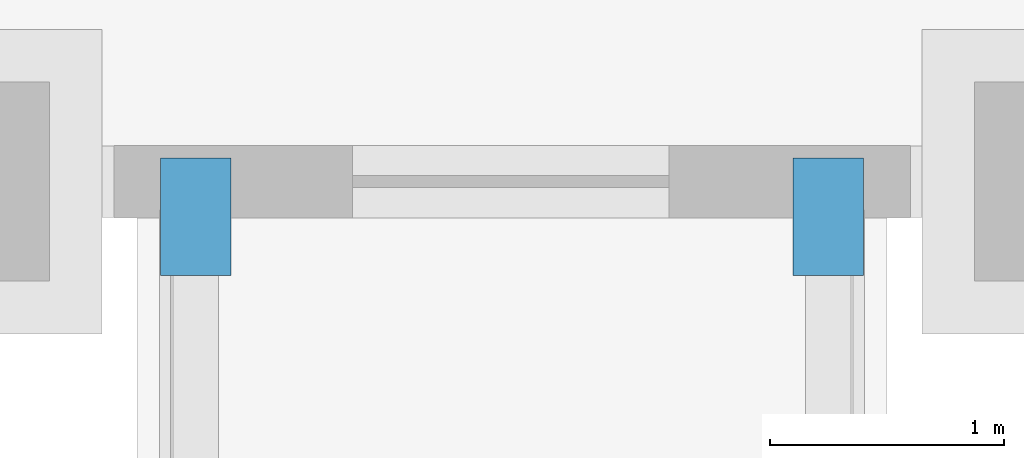
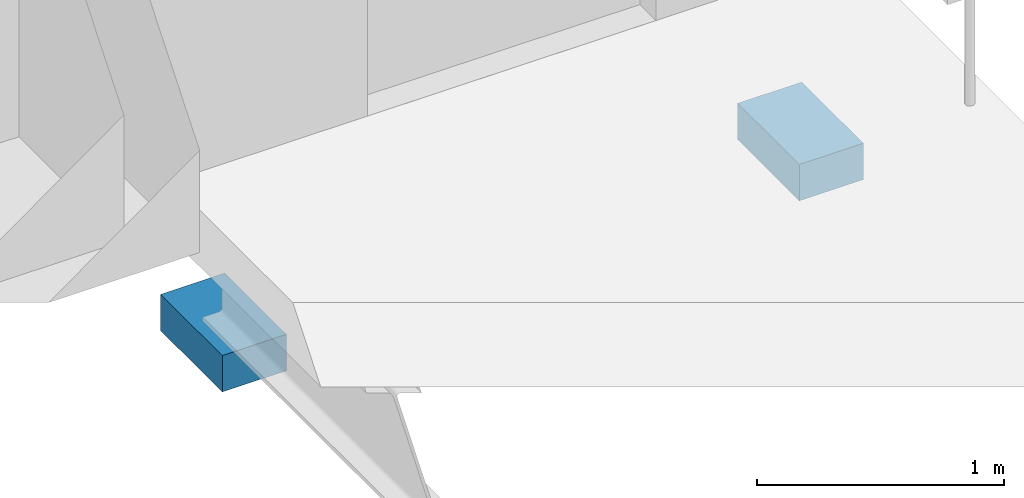
# One storey, part 149 of 174: 2 discrete accessories.
"""IFC4 building model written with IfcOpenShell, lengths in metres."""

from ifc_helpers import new_model, si_unit, direction, frame, origin, origin_2d, place, context, subcontext, project, spatial, rectangle, extrude, material, type_object, element, save


model = new_model("IFC4")

# Units and contexts
model_context = context("Model", 3, precision=1e-05, world=origin(), true_north=direction((0.0, 1.0)))
body_context = subcontext(model_context, "Body", "Model", "MODEL_VIEW")
ifc_project = project(units=[si_unit("LENGTHUNIT", "METRE"), si_unit("AREAUNIT", "SQUARE_METRE"), si_unit("VOLUMEUNIT", "CUBIC_METRE"), si_unit("PLANEANGLEUNIT", "RADIAN"), si_unit("MASSUNIT", "GRAM", prefix="KILO")], contexts=[model_context])

# Site, building, storey
site_placement = place(None, origin())
site = spatial("IfcSite", under=ifc_project, at=site_placement, CompositionType="ELEMENT")
building_placement = place(site_placement, origin())
building = spatial("IfcBuilding", under=site, at=building_placement, Name="Mavantir Sound Aquarium", CompositionType="ELEMENT")
storey_placement = place(building_placement, frame((0.0, 0.0, 5.39990234375)))
storey = spatial("IfcBuildingStorey", under=building, at=storey_placement, Name="L01", CompositionType="ELEMENT", Elevation=5.39990234375)

# Discrete accessories
ifc_material = material(Name="PTFE Elastomeric Slide Bearing")
discrete_accessory_type = type_object("IfcDiscreteAccessoryType", Name="ACC-PTFE-SHOE", PredefinedType="SHOE", material=ifc_material)
for number, where, z_axis, x_axis, name in (
    (1, (15.449951171875, 40.64990234375, -0.9287109375), (0.0, 0.0, 1.0), (1.0, 0.0, 0.0), "Unguided PTFE slide bearing 2.1"),
    (2, (18.14990234375, 40.64990234375, -0.9287109375), (0.0, 0.0, 1.0), (1.0, 0.0, 0.0), "Unguided PTFE slide bearing 2.2"),
):
    element("IfcDiscreteAccessory", number, at=place(storey_placement, frame(where, z_axis=z_axis, x_axis=x_axis)), inside=storey, type_object=discrete_accessory_type, Name=name, PredefinedType="SHOE", context=body_context, shape_type="SweptSolid", body=[
        extrude(rectangle(XDim=0.300048828125, YDim=0.5, at=origin_2d()), origin(), (0.0, 0.0, 1.0), 0.179931640625),
    ])

save(model, "model.ifc")
